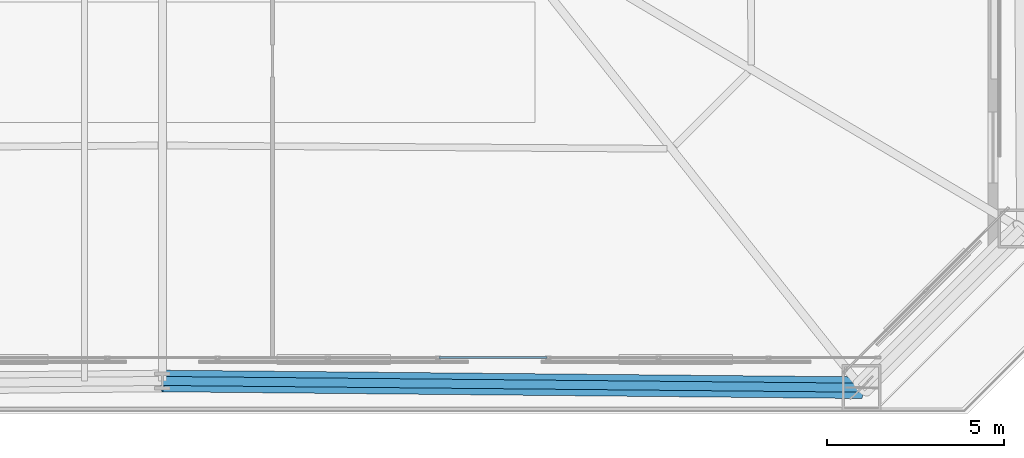
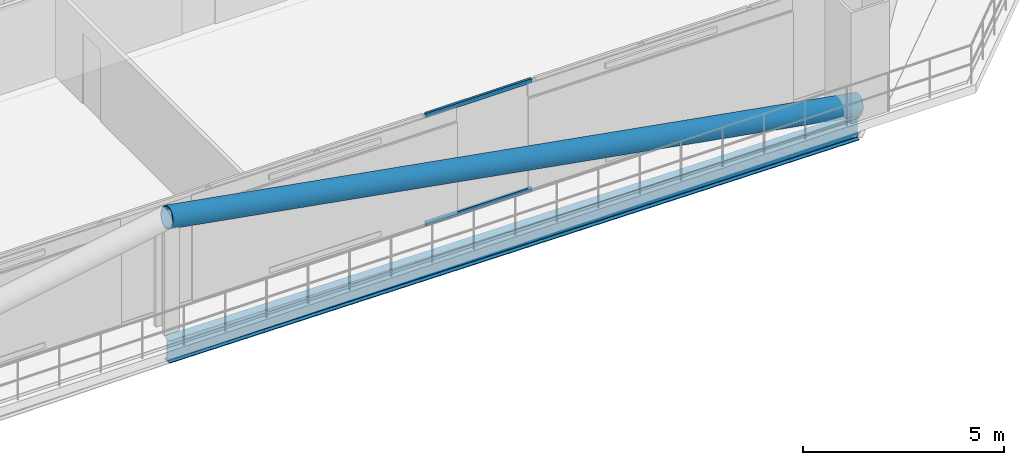
# One storey, part 10 of 34: 3 members, 1 beam, 1 element without a shape of its own.
"""IFC4 building model written with IfcOpenShell, lengths in metres."""

from ifc_helpers import new_model, si_unit, direction, frame, origin, origin_2d, place, context, subcontext, project, spatial, hollow_rectangle, hollow_circle, i_section, extrude, material, layer, layer_set, material_profile, profile_set, type_object, element, aggregate, save


model = new_model("IFC4")

# Units and contexts
model_context = context("Model", 3, precision=1e-05, world=origin(), true_north=direction((0.0, 1.0)))
body_context = subcontext(model_context, "Body", "Model", "MODEL_VIEW")
ifc_project = project(units=[si_unit("LENGTHUNIT", "METRE"), si_unit("AREAUNIT", "SQUARE_METRE"), si_unit("VOLUMEUNIT", "CUBIC_METRE"), si_unit("PLANEANGLEUNIT", "RADIAN"), si_unit("MASSUNIT", "GRAM", prefix="KILO")], contexts=[model_context])

# Site, building, storey
site_placement = place(None, origin())
site = spatial("IfcSite", under=ifc_project, at=site_placement, CompositionType="ELEMENT")
building_placement = place(site_placement, origin())
building = spatial("IfcBuilding", under=site, at=building_placement, Name="Caelvoria Tower", CompositionType="ELEMENT")
storey_placement = place(building_placement, frame((0.0, 0.0, 28.0)))
storey = spatial("IfcBuildingStorey", under=building, at=storey_placement, Name="L06", CompositionType="ELEMENT", Elevation=28.0)

# Curtain wall, members
ifc_material_1 = material(Name="Anodised Bronze Aluminium and Low-E Glass", Category="aluminium")
ifc_layer = layer(ifc_material_1, 0.18505859375, Name="Anodised Bronze Aluminium and Low-E Glass")
ifc_layer_set = layer_set([ifc_layer], Name="CW System 2 Lower Tower Bronze Unitised Facade - Anodised Bronze Aluminium and Low-E Glass")
curtain_wall_type = type_object("IfcCurtainWallType", Name="CW System 2 Lower Tower Bronze Unitised Facade", PredefinedType="NOTDEFINED", material=ifc_layer_set)
curtain_wall_placement = place(storey_placement, origin())
curtain_wall = element("IfcCurtainWall", 1, at=curtain_wall_placement, inside=storey, type_object=curtain_wall_type, Name="CW-02 Curtain Wall L06-E0", PredefinedType="NOTDEFINED")
ifc_material_2 = material(Name="Anodised Bronze Architectural Aluminium", Category="aluminium")
ifc_material_profile_1 = material_profile(ifc_material_2, hollow_rectangle(XDim=0.06494140625, YDim=0.1298828125, WallThickness=0.00341796875, at=origin_2d()), Name="Anodised Bronze Architectural Aluminium")
ifc_profile_set_1 = profile_set([ifc_material_profile_1], Name="CW_TRAN_65X130 - Anodised Bronze Architectural Aluminium")
member_type_1 = type_object("IfcMemberType", Name="Curtain Wall Transom 65x130 Bronze Aluminium", PredefinedType="USERDEFINED", material=ifc_profile_set_1)
member_1_placement = place(storey_placement, frame((53.8017578125, 11.3798828125, 0.032470703125), z_axis=(1.0, 0.0, 0.0), x_axis=(0.0, 1.0, 0.0)))
member_1 = element("IfcMember", 2, at=member_1_placement, type_object=member_type_1, Name="CW-02 transom 10.1", ObjectType="TRANSOM", PredefinedType="USERDEFINED", context=body_context, shape_type="SweptSolid", body=[
    extrude(hollow_rectangle(XDim=0.06494140625, YDim=0.1298828125, WallThickness=0.00341796875, at=origin_2d()), origin(), (0.0, 0.0, 1.0), 3.042724609375),
])
member_2_placement = place(storey_placement, frame((53.8017578125, 11.3798828125, 3.327392578125), z_axis=(1.0, 0.0, 0.0), x_axis=(0.0, 1.0, 0.0)))
member_2 = element("IfcMember", 3, at=member_2_placement, type_object=member_type_1, Name="CW-02 transom 10.2", ObjectType="TRANSOM", PredefinedType="USERDEFINED", context=body_context, shape_type="SweptSolid", body=[
    extrude(hollow_rectangle(XDim=0.06494140625, YDim=0.1298828125, WallThickness=0.00341796875, at=origin_2d()), origin(), (0.0, 0.0, 1.0), 3.042724609375),
])
aggregate(curtain_wall, [member_1, member_2])

# Member
ifc_material_3 = material(Name="Structural Steel ASTM A572 Gr.50", Category="steel")
ifc_material_profile_2 = material_profile(ifc_material_3, hollow_circle(Radius=0.304931640625, WallThickness=0.02490234375, at=origin_2d()), Name="Structural Steel ASTM A572 Gr.50")
ifc_profile_set_2 = profile_set([ifc_material_profile_2], Name="CHS610X25 - Structural Steel ASTM A572 Gr.50")
member_type_2 = type_object("IfcMemberType", Name="Lower Perimeter Mega Brace CHS610X25", PredefinedType="BRACE", material=ifc_profile_set_2)
member_3_placement = place(storey_placement, frame((65.712890625, 10.530517578125, 0.0), z_axis=(-0.985737846639, 0.009473553069, 0.168021276916), x_axis=(-0.009610177415, -0.999953821179, 0.0)))
element("IfcMember", 4, at=member_3_placement, inside=storey, type_object=member_type_2, Name="Perimeter Cardinal Mega Brace L06 SB", PredefinedType="BRACE", context=body_context, shape_type="SweptSolid", body=[
    extrude(hollow_circle(Radius=0.304931640625, WallThickness=0.02490234375, at=origin_2d()), origin(), (0.0, 0.0, 1.0), 19.998046875),
])

# Beam
ifc_material_4 = material(Name="Structural Steel ASTM A992 Gr.50", Category="steel")
ifc_material_profile_3 = material_profile(ifc_material_4, i_section(OverallWidth=0.25390625, OverallDepth=0.68798828125, WebThickness=0.01318359375, FlangeThickness=0.02099609375, FilletRadius=0.01904296875, at=origin_2d()), Name="Structural Steel ASTM A992 Gr.50")
ifc_profile_set_3 = profile_set([ifc_material_profile_3], Name="W690X152 - Structural Steel ASTM A992 Gr.50")
beam_type = type_object("IfcBeamType", Name="Perimeter Spandrel Girder W690X152", PredefinedType="BEAM", material=ifc_profile_set_3)
beam_placement = place(storey_placement, frame((46.0, 10.719970703125, -0.6640625), z_axis=(0.999953821179, -0.009610177415, 0.0), x_axis=(0.009610177415, 0.999953821179, 0.0)))
element("IfcBeam", 5, at=beam_placement, inside=storey, type_object=beam_type, Name="Perimeter Spandrel Girder L06-01", PredefinedType="BEAM", context=body_context, shape_type="SweptSolid", body=[
    extrude(i_section(OverallWidth=0.25390625, OverallDepth=0.68798828125, WebThickness=0.01318359375, FlangeThickness=0.02099609375, FilletRadius=0.01904296875, at=origin_2d()), origin(), (0.0, 0.0, 1.0), 19.7138671875),
])

save(model, "model.ifc")
